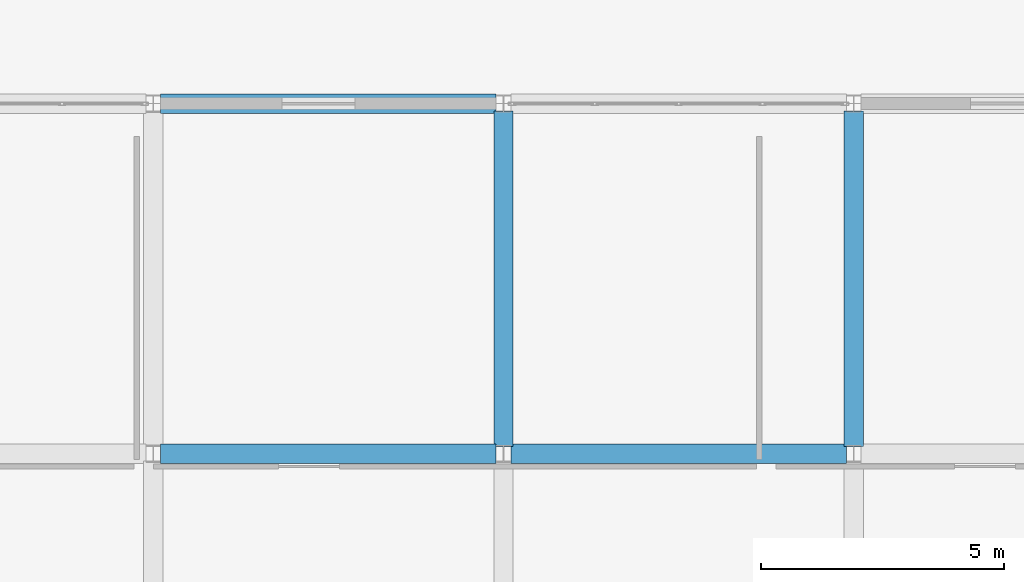
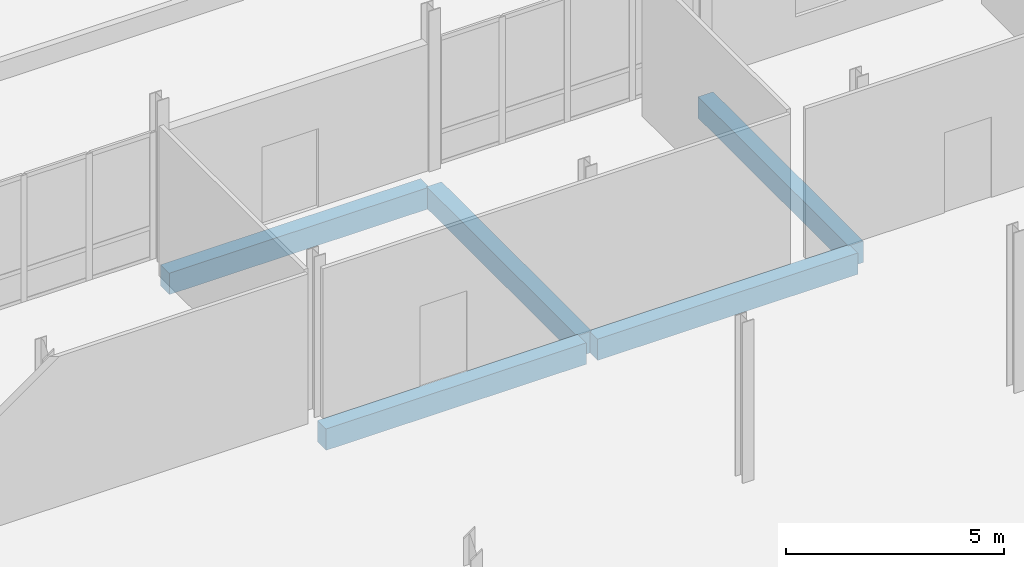
# One storey, part 45 of 139: 5 beams.
"""IFC4 building model written with IfcOpenShell, lengths in metres."""

from ifc_helpers import new_model, si_unit, direction, frame, origin, origin_2d, place, context, subcontext, project, spatial, rectangle, extrude, material, material_profile, profile_set, type_object, element, save


model = new_model("IFC4")

# Units and contexts
model_context = context("Model", 3, precision=1e-05, world=origin(), true_north=direction((0.0, 1.0)))
body_context = subcontext(model_context, "Body", "Model", "MODEL_VIEW")
ifc_project = project(units=[si_unit("LENGTHUNIT", "METRE"), si_unit("AREAUNIT", "SQUARE_METRE"), si_unit("VOLUMEUNIT", "CUBIC_METRE"), si_unit("PLANEANGLEUNIT", "RADIAN"), si_unit("MASSUNIT", "GRAM", prefix="KILO")], contexts=[model_context])

# Site, building, storey
site_placement = place(None, origin())
site = spatial("IfcSite", under=ifc_project, at=site_placement, CompositionType="ELEMENT")
building_placement = place(site_placement, origin())
building = spatial("IfcBuilding", under=site, at=building_placement, Name="Suanplinth Sawtooth Commons", CompositionType="ELEMENT")
storey_placement = place(building_placement, origin())
storey = spatial("IfcBuildingStorey", under=building, at=storey_placement, Name="L00", CompositionType="ELEMENT", Elevation=0.0)

# Beams
ifc_material = material(Name="Precast concrete C40/50", Category="concrete")
ifc_material_profile = material_profile(ifc_material, rectangle(XDim=0.39990234375, YDim=0.60009765625, at=origin_2d()), Name="PC-GDR 400x600")
ifc_profile_set = profile_set([ifc_material_profile], Name="Precast concrete C40/50")
beam_type = type_object("IfcBeamType", Name="B-05", PredefinedType="USERDEFINED", material=ifc_profile_set)
for number, where, z_axis, x_axis, name in (
    (1, (28.949951171875, 64.800048828125, -0.7099609375), (1.0, 0.0, 0.0), (0.0, 1.0, 0.0), "BMX-L00-MKT-4-9"),
    (2, (28.949951171875, 72.0, -0.7099609375), (1.0, 0.0, 0.0), (0.0, 1.0, 0.0), "BMX-L00-MKT-4-10"),
    (3, (36.14990234375, 64.800048828125, -0.7099609375), (1.0, 0.0, 0.0), (0.0, 1.0, 0.0), "BMX-L00-MKT-5-9"),
    (4, (36.0, 64.949951171875, -0.7099609375), (0.0, 1.0, 0.0), (-1.0, 0.0, 0.0), "BMY-L00-MKT-5-9"),
    (5, (43.199951171875, 64.949951171875, -0.7099609375), (0.0, 1.0, 0.0), (-1.0, 0.0, 0.0), "BMY-L00-MKT-6-9"),
):
    element("IfcBeam", number, at=place(storey_placement, frame(where, z_axis=z_axis, x_axis=x_axis)), inside=storey, type_object=beam_type, Name=name, ObjectType="GIRDER", PredefinedType="USERDEFINED", context=body_context, shape_type="SweptSolid", body=[
        extrude(rectangle(XDim=0.39990234375, YDim=0.60009765625, at=origin_2d()), origin(), (0.0, 0.0, 1.0), 6.900146484375),
    ])

save(model, "model.ifc")
